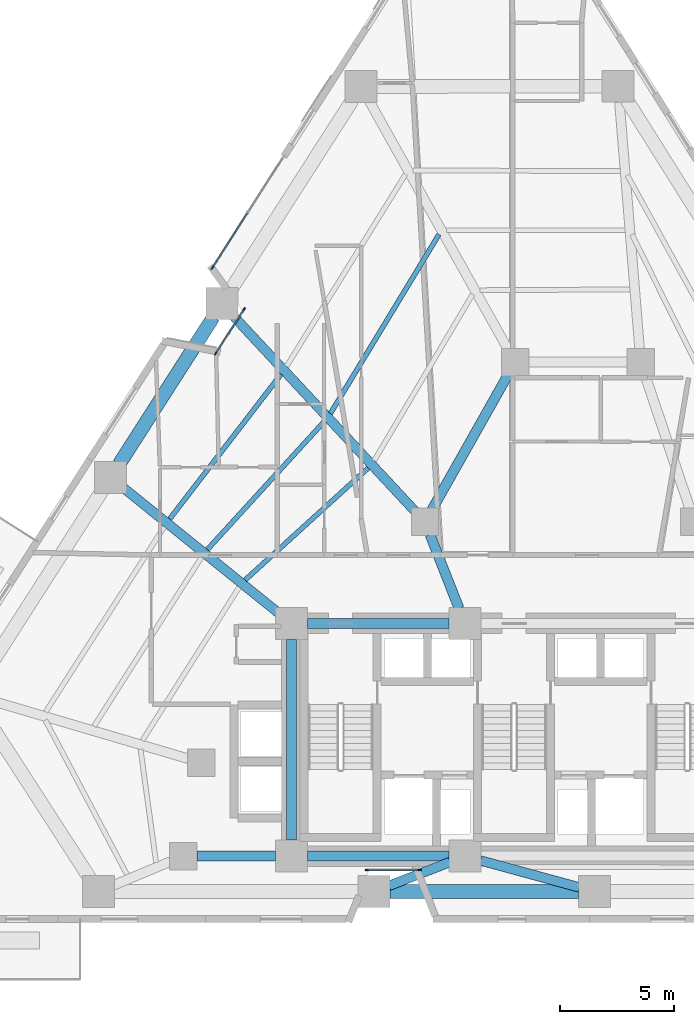
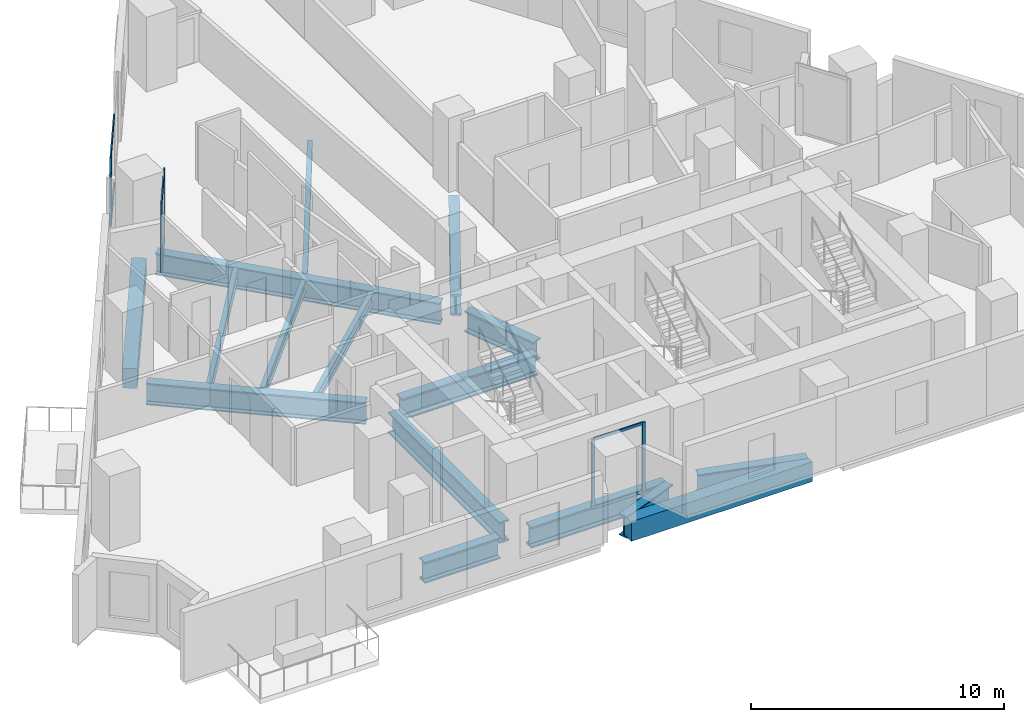
# One storey, part 2 of 14: 16 beams, 11 members, 3 elements without a shape of their own.
"""IFC4 building model written with IfcOpenShell, lengths in metres."""

from ifc_helpers import new_model, si_unit, direction, frame, origin, origin_2d, place, context, subcontext, project, spatial, rectangle, i_section, extrude, material, layer, layer_set, material_profile, profile_set, type_object, element, aggregate, save


model = new_model("IFC4")

# Units and contexts
model_context = context("Model", 3, precision=1e-05, world=origin(), true_north=direction((0.0, 1.0)))
body_context = subcontext(model_context, "Body", "Model", "MODEL_VIEW")
ifc_project = project(units=[si_unit("LENGTHUNIT", "METRE"), si_unit("AREAUNIT", "SQUARE_METRE"), si_unit("VOLUMEUNIT", "CUBIC_METRE"), si_unit("PLANEANGLEUNIT", "RADIAN"), si_unit("MASSUNIT", "GRAM", prefix="KILO")], contexts=[model_context])

# Site, building, storey
site_placement = place(None, origin())
site = spatial("IfcSite", under=ifc_project, at=site_placement, CompositionType="ELEMENT")
building_placement = place(site_placement, origin())
building = spatial("IfcBuilding", under=site, at=building_placement, Name="Almagre Mirador Tower", CompositionType="ELEMENT")
storey_placement = place(building_placement, frame((0.0, 0.0, 67.800048828125)))
storey = spatial("IfcBuildingStorey", under=building, at=storey_placement, Name="L16", CompositionType="ELEMENT", Elevation=67.800048828125)

# Beams
ifc_material_1 = material(Name="Steel ASTM A992 Grade 50", Category="steel")
ifc_material_profile_1 = material_profile(ifc_material_1, i_section(OverallWidth=0.214111328125, OverallDepth=0.549072265625, WebThickness=0.0146484375, FlangeThickness=0.023681640625, FilletRadius=0.01806640625, at=origin_2d()), Name="W21X93")
ifc_profile_set_1 = profile_set([ifc_material_profile_1], Name="Steel ASTM A992 Grade 50")
beam_type_1 = type_object("IfcBeamType", Name="BM-JST-W21X93", PredefinedType="JOIST", material=ifc_profile_set_1)
beam_1_placement = place(storey_placement, frame((34.012939453125, 31.798828125, -0.524658203125), z_axis=(-0.51858522913, -0.855025941202, 0.0), x_axis=(0.855025941202, -0.51858522913, 0.0)))
element("IfcBeam", 1, at=beam_1_placement, inside=storey, type_object=beam_type_1, Name="L16 secondary floor joist PC09-PC10.2", PredefinedType="JOIST", context=body_context, shape_type="SweptSolid", body=[
    extrude(i_section(OverallWidth=0.214111328125, OverallDepth=0.549072265625, WebThickness=0.0146484375, FlangeThickness=0.023681640625, FilletRadius=0.01806640625, at=origin_2d()), origin(), (0.0, 0.0, 1.0), 9.178955078125),
])
beam_2_placement = place(storey_placement, frame((27.093017578125, 25.672119140625, -0.524658203125), z_axis=(-0.610045173771, -0.792366636071, 0.0), x_axis=(0.792366636071, -0.610045173771, 0.0)))
element("IfcBeam", 2, at=beam_2_placement, inside=storey, type_object=beam_type_1, Name="L16 secondary floor joist PC10-PC11.1", PredefinedType="JOIST", context=body_context, shape_type="SweptSolid", body=[
    extrude(i_section(OverallWidth=0.214111328125, OverallDepth=0.549072265625, WebThickness=0.0146484375, FlangeThickness=0.023681640625, FilletRadius=0.01806640625, at=origin_2d()), origin(), (0.0, 0.0, 1.0), 8.007568359375),
])
beam_3_placement = place(storey_placement, frame((29.0029296875, 23.6171875, -0.524658203125), z_axis=(-0.674525341374, -0.738251694102, 0.0), x_axis=(0.738251694102, -0.674525341374, 0.0)))
element("IfcBeam", 3, at=beam_3_placement, inside=storey, type_object=beam_type_1, Name="L16 secondary floor joist PC10-PC11.2", PredefinedType="JOIST", context=body_context, shape_type="SweptSolid", body=[
    extrude(i_section(OverallWidth=0.214111328125, OverallDepth=0.549072265625, WebThickness=0.0146484375, FlangeThickness=0.023681640625, FilletRadius=0.01806640625, at=origin_2d()), origin(), (0.0, 0.0, 1.0), 7.6201171875),
])
beam_4_placement = place(storey_placement, frame((30.912841796875, 21.564453125, -0.524658203125), z_axis=(-0.739528010183, -0.673125784794, 0.0), x_axis=(0.673125784794, -0.739528010183, 0.0)))
element("IfcBeam", 4, at=beam_4_placement, inside=storey, type_object=beam_type_1, Name="L16 secondary floor joist PC10-PC11.3", PredefinedType="JOIST", context=body_context, shape_type="SweptSolid", body=[
    extrude(i_section(OverallWidth=0.214111328125, OverallDepth=0.549072265625, WebThickness=0.0146484375, FlangeThickness=0.023681640625, FilletRadius=0.01806640625, at=origin_2d()), origin(), (0.0, 0.0, 1.0), 7.294677734375),
])
ifc_material_2 = material(Name="Precast concrete C50/60", Category="concrete")
ifc_material_profile_2 = material_profile(ifc_material_2, rectangle(XDim=0.60009765625, YDim=0.949951171875, at=origin_2d()), Name="RC600X950")
ifc_profile_set_2 = profile_set([ifc_material_profile_2], Name="Precast concrete C50/60")
beam_type_2 = type_object("IfcBeamType", Name="BM-SPN-RC600X950", PredefinedType="SPANDREL", material=ifc_profile_set_2)
beam_5_placement = place(storey_placement, frame((31.867919921875, 3.0, -0.72509765625), z_axis=(1.0, 0.0, 0.0), x_axis=(0.0, 1.0, 0.0)))
element("IfcBeam", 5, at=beam_5_placement, inside=storey, type_object=beam_type_2, Name="L16 perimeter spandrel beam PC02-PC03", PredefinedType="SPANDREL", context=body_context, shape_type="SweptSolid", body=[
    extrude(rectangle(XDim=0.60009765625, YDim=0.949951171875, at=origin_2d()), origin(), (0.0, 0.0, 1.0), 8.26416015625),
])
beam_6_placement = place(storey_placement, frame((24.122314453125, 28.171630859375, -0.72509765625), z_axis=(-0.539486777129, -0.841994072012, 0.0), x_axis=(0.841994072012, -0.539486777129, 0.0)))
element("IfcBeam", 6, at=beam_6_placement, inside=storey, type_object=beam_type_2, Name="L16 perimeter spandrel beam PC10-PC11", PredefinedType="SPANDREL", context=body_context, shape_type="SweptSolid", body=[
    extrude(rectangle(XDim=0.60009765625, YDim=0.949951171875, at=origin_2d()), origin(), (0.0, 0.0, 1.0), 7.645263671875),
])
ifc_material_3 = material(Name="Steel ASTM A992 Grade 50", Category="steel")
ifc_material_profile_3 = material_profile(ifc_material_3, i_section(OverallWidth=0.43701171875, OverallDepth=1.010986328125, WebThickness=0.041015625, FlangeThickness=0.073974609375, FilletRadius=0.028076171875, at=origin_2d()), Name="W36X529")
ifc_profile_set_3 = profile_set([ifc_material_profile_3], Name="Steel ASTM A992 Grade 50")
beam_type_3 = type_object("IfcBeamType", Name="BM-STL-W36X529", PredefinedType="BEAM", material=ifc_profile_set_3)
for number, where, z_axis, x_axis, name in (
    (7, (28.25, 4.550048828125, -0.755615234375), (1.0, 0.0, 0.0), (0.0, 1.0, 0.0), "L16 core tie girder CC1-CC2"),
    (8, (28.25, 14.75, -0.755615234375), (1.0, 0.0, 0.0), (0.0, 1.0, 0.0), "L16 core tie girder CC4-CC5"),
):
    element("IfcBeam", number, at=place(storey_placement, frame(where, z_axis=z_axis, x_axis=x_axis)), inside=storey, type_object=beam_type_3, Name=name, PredefinedType="BEAM", context=body_context, shape_type="SweptSolid", body=[
        extrude(i_section(OverallWidth=0.43701171875, OverallDepth=1.010986328125, WebThickness=0.041015625, FlangeThickness=0.073974609375, FilletRadius=0.028076171875, at=origin_2d()), origin(), (0.0, 0.0, 1.0), 6.199951171875),
    ])
beam_7_placement = place(storey_placement, frame((27.550048828125, 5.25, -0.755615234375), z_axis=(0.0, 1.0, 0.0), x_axis=(-1.0, 0.0, 0.0)))
element("IfcBeam", 9, at=beam_7_placement, inside=storey, type_object=beam_type_3, Name="L16 core tie girder CC1-CC4", PredefinedType="BEAM", context=body_context, shape_type="SweptSolid", body=[
    extrude(i_section(OverallWidth=0.43701171875, OverallDepth=1.010986328125, WebThickness=0.041015625, FlangeThickness=0.073974609375, FilletRadius=0.028076171875, at=origin_2d()), origin(), (0.0, 0.0, 1.0), 8.800048828125),
])
beam_8_placement = place(storey_placement, frame((23.39990234375, 4.550048828125, -0.755615234375), z_axis=(1.0, 0.0, 0.0), x_axis=(0.0, 1.0, 0.0)))
element("IfcBeam", 10, at=beam_8_placement, inside=storey, type_object=beam_type_3, Name="L16 core tie girder MC1-CC1", PredefinedType="BEAM", context=body_context, shape_type="SweptSolid", body=[
    extrude(i_section(OverallWidth=0.43701171875, OverallDepth=1.010986328125, WebThickness=0.041015625, FlangeThickness=0.073974609375, FilletRadius=0.028076171875, at=origin_2d()), origin(), (0.0, 0.0, 1.0), 3.4501953125),
])
beam_9_placement = place(storey_placement, frame((37.05517578125, 25.677490234375, -0.755615234375), z_axis=(-0.491440637516, -0.870911074564, 0.0), x_axis=(0.870911074564, -0.491440637516, 0.0)))
element("IfcBeam", 11, at=beam_9_placement, inside=storey, type_object=beam_type_3, Name="L16 core tie girder MC7-MC8", PredefinedType="BEAM", context=body_context, shape_type="SweptSolid", body=[
    extrude(i_section(OverallWidth=0.43701171875, OverallDepth=1.010986328125, WebThickness=0.041015625, FlangeThickness=0.073974609375, FilletRadius=0.028076171875, at=origin_2d()), origin(), (0.0, 0.0, 1.0), 6.837646484375),
])
beam_10_placement = place(storey_placement, frame((33.61962890625, 18.6416015625, -0.755615234375), z_axis=(0.365956076985, -0.93063212373, 0.0), x_axis=(0.93063212373, 0.365956076985, 0.0)))
element("IfcBeam", 12, at=beam_10_placement, inside=storey, type_object=beam_type_3, Name="L16 core tie girder MC8-CC5", PredefinedType="BEAM", context=body_context, shape_type="SweptSolid", body=[
    extrude(i_section(OverallWidth=0.43701171875, OverallDepth=1.010986328125, WebThickness=0.041015625, FlangeThickness=0.073974609375, FilletRadius=0.028076171875, at=origin_2d()), origin(), (0.0, 0.0, 1.0), 3.481689453125),
])
ifc_material_4 = material(Name="Steel ASTM A913 Grade 65", Category="steel")
ifc_material_profile_4 = material_profile(ifc_material_4, i_section(OverallWidth=0.4189453125, OverallDepth=1.041015625, WebThickness=0.031005859375, FlangeThickness=0.055908203125, FilletRadius=0.030029296875, at=origin_2d()), Name="W40X397")
ifc_profile_set_4 = profile_set([ifc_material_profile_4], Name="Steel ASTM A913 Grade 65")
beam_type_4 = type_object("IfcBeamType", Name="BM-STL-W40X397", PredefinedType="BEAM", material=ifc_profile_set_4)
beam_11_placement = place(storey_placement, frame((31.8203125, 3.25390625, -0.7705078125), z_axis=(0.931888214073, 0.362745580913, 0.0), x_axis=(-0.362745580913, 0.931888214073, 0.0)))
element("IfcBeam", 13, at=beam_11_placement, inside=storey, type_object=beam_type_4, Name="L16 radial floor girder PC02-CC2", PredefinedType="BEAM", context=body_context, shape_type="SweptSolid", body=[
    extrude(i_section(OverallWidth=0.4189453125, OverallDepth=1.041015625, WebThickness=0.031005859375, FlangeThickness=0.055908203125, FilletRadius=0.030029296875, at=origin_2d()), origin(), (0.0, 0.0, 1.0), 2.873291015625),
])
beam_12_placement = place(storey_placement, frame((40.15673828125, 3.18408203125, -0.7705078125), z_axis=(-0.964746251324, 0.263181820336, 0.0), x_axis=(-0.263181820336, -0.964746251324, 0.0)))
element("IfcBeam", 14, at=beam_12_placement, inside=storey, type_object=beam_type_4, Name="L16 radial floor girder PC03-CC2", PredefinedType="BEAM", context=body_context, shape_type="SweptSolid", body=[
    extrude(i_section(OverallWidth=0.4189453125, OverallDepth=1.041015625, WebThickness=0.031005859375, FlangeThickness=0.055908203125, FilletRadius=0.030029296875, at=origin_2d()), origin(), (0.0, 0.0, 1.0), 4.48974609375),
])
beam_13_placement = place(storey_placement, frame((24.976806640625, 28.24853515625, -0.7705078125), z_axis=(0.681362933779, -0.731945730551, 0.0), x_axis=(0.731945730551, 0.681362933779, 0.0)))
element("IfcBeam", 15, at=beam_13_placement, inside=storey, type_object=beam_type_4, Name="L16 radial floor girder PC10-MC8", PredefinedType="BEAM", context=body_context, shape_type="SweptSolid", body=[
    extrude(i_section(OverallWidth=0.4189453125, OverallDepth=1.041015625, WebThickness=0.031005859375, FlangeThickness=0.055908203125, FilletRadius=0.030029296875, at=origin_2d()), origin(), (0.0, 0.0, 1.0), 11.76220703125),
])
beam_14_placement = place(storey_placement, frame((20.164794921875, 20.70556640625, -0.7705078125), z_axis=(0.778428805214, -0.627732901171, 0.0), x_axis=(0.627732901171, 0.778428805214, 0.0)))
element("IfcBeam", 16, at=beam_14_placement, inside=storey, type_object=beam_type_4, Name="L16 radial floor girder PC11-CC4", PredefinedType="BEAM", context=body_context, shape_type="SweptSolid", body=[
    extrude(i_section(OverallWidth=0.4189453125, OverallDepth=1.041015625, WebThickness=0.031005859375, FlangeThickness=0.055908203125, FilletRadius=0.030029296875, at=origin_2d()), origin(), (0.0, 0.0, 1.0), 8.787353515625),
])

# Curtain wall, members
ifc_material_5 = material(Name="Black anodized aluminium", Category="aluminium")
ifc_layer_1 = layer(ifc_material_5, 0.169921875)
ifc_layer_set_1 = layer_set([ifc_layer_1], Name="Black anodized aluminium")
curtain_wall_type_1 = type_object("IfcCurtainWallType", Name="CW-CRS-SYS", PredefinedType="NOTDEFINED", material=ifc_layer_set_1)
curtain_wall_1_placement = place(storey_placement, origin())
curtain_wall_1 = element("IfcCurtainWall", 17, at=curtain_wall_1_placement, inside=storey, type_object=curtain_wall_type_1, Name="L16 vertical crease curtain wall 01", PredefinedType="NOTDEFINED")
ifc_material_6 = material(Name="Black anodized aluminium", Category="aluminium")
ifc_material_profile_5 = material_profile(ifc_material_6, rectangle(XDim=0.06005859375, YDim=0.14990234375, at=origin_2d()), Name="CWM60X150")
ifc_profile_set_5 = profile_set([ifc_material_profile_5], Name="Black anodized aluminium")
member_type_1 = type_object("IfcMemberType", Name="MBR-CWM60X150", PredefinedType="MULLION", material=ifc_profile_set_5)
member_1_placement = place(storey_placement, frame((24.228759765625, 26.575439453125, 0.0), z_axis=(0.0, 0.0, 1.0), x_axis=(-0.842016797543, 0.539451307029, 0.0)))
member_1 = element("IfcMember", 18, at=member_1_placement, type_object=member_type_1, Name="CW-4 mullion 1", PredefinedType="MULLION", context=body_context, shape_type="SweptSolid", body=[
    extrude(rectangle(XDim=0.06005859375, YDim=0.14990234375, at=origin_2d()), origin(), (0.0, 0.0, 1.0), 3.349853515625),
])
member_2_placement = place(storey_placement, frame((25.474365234375, 28.51953125, 0.0), z_axis=(0.0, 0.0, 1.0), x_axis=(-0.842016797543, 0.539451307029, 0.0)))
member_2 = element("IfcMember", 19, at=member_2_placement, type_object=member_type_1, Name="CW-4 mullion 2", PredefinedType="MULLION", context=body_context, shape_type="SweptSolid", body=[
    extrude(rectangle(XDim=0.06005859375, YDim=0.14990234375, at=origin_2d()), origin(), (0.0, 0.0, 1.0), 3.349853515625),
])

curtain_wall_2_placement = place(storey_placement, origin())
curtain_wall_2 = element("IfcCurtainWall", 20, at=curtain_wall_2_placement, inside=storey, type_object=curtain_wall_type_1, Name="L16 vertical crease curtain wall 04", PredefinedType="NOTDEFINED")
member_3_placement = place(storey_placement, frame((33.155029296875, 3.949951171875, 0.0), z_axis=(0.0, 0.0, 1.0), x_axis=(0.0, -1.0, 0.0)))
member_3 = element("IfcMember", 21, at=member_3_placement, type_object=member_type_1, Name="CW-4 mullion 1", PredefinedType="MULLION", context=body_context, shape_type="SweptSolid", body=[
    extrude(rectangle(XDim=0.06005859375, YDim=0.14990234375, at=origin_2d()), origin(), (0.0, 0.0, 1.0), 3.349853515625),
])
member_4_placement = place(storey_placement, frame((30.844970703125, 3.949951171875, 0.0), z_axis=(0.0, 0.0, 1.0), x_axis=(0.0, -1.0, 0.0)))
member_4 = element("IfcMember", 22, at=member_4_placement, type_object=member_type_1, Name="CW-4 mullion 2", PredefinedType="MULLION", context=body_context, shape_type="SweptSolid", body=[
    extrude(rectangle(XDim=0.06005859375, YDim=0.14990234375, at=origin_2d()), origin(), (0.0, 0.0, 1.0), 3.349853515625),
])

# Curtain wall, member
ifc_material_7 = material(Name="Black anodized aluminium", Category="aluminium")
ifc_layer_2 = layer(ifc_material_7, 0.18994140625)
ifc_layer_set_2 = layer_set([ifc_layer_2], Name="Black anodized aluminium")
curtain_wall_type_2 = type_object("IfcCurtainWallType", Name="CW-RES-L-SYS", PredefinedType="NOTDEFINED", material=ifc_layer_set_2)
curtain_wall_3_placement = place(storey_placement, origin())
curtain_wall_3 = element("IfcCurtainWall", 23, at=curtain_wall_3_placement, inside=storey, type_object=curtain_wall_type_2, Name="L16 curtain wall run 02", PredefinedType="NOTDEFINED")
ifc_material_8 = material(Name="Black anodized aluminium", Category="aluminium")
ifc_material_profile_6 = material_profile(ifc_material_8, rectangle(XDim=0.06494140625, YDim=0.179931640625, at=origin_2d()), Name="CWM65X180")
ifc_profile_set_6 = profile_set([ifc_material_profile_6], Name="Black anodized aluminium")
member_type_2 = type_object("IfcMemberType", Name="MBR-CWM65X180", PredefinedType="MULLION", material=ifc_profile_set_6)
member_5_placement = place(storey_placement, frame((24.08349609375, 30.33447265625, 0.0), z_axis=(0.0, 0.0, 1.0), x_axis=(-0.841975112502, 0.539516366691, 0.0)))
member_5 = element("IfcMember", 24, at=member_5_placement, type_object=member_type_2, Name="CW-2 mullion 1", PredefinedType="MULLION", context=body_context, shape_type="SweptSolid", body=[
    extrude(rectangle(XDim=0.06494140625, YDim=0.179931640625, at=origin_2d()), origin(), (0.0, 0.0, 1.0), 3.349853515625),
])

# Member
ifc_material_9 = material(Name="Black anodized aluminium", Category="aluminium")
ifc_material_profile_7 = material_profile(ifc_material_9, rectangle(XDim=0.06005859375, YDim=0.1298828125, at=origin_2d()), Name="CWT60X130")
ifc_profile_set_7 = profile_set([ifc_material_profile_7], Name="Black anodized aluminium")
member_type_3 = type_object("IfcMemberType", Name="MBR-CWT60X130", PredefinedType="USERDEFINED", material=ifc_profile_set_7)
member_6_placement = place(storey_placement, frame((24.244873046875, 26.6005859375, 0.030029296875), z_axis=(0.539478698407, 0.841999248198, 0.0), x_axis=(-0.841999248198, 0.539478698407, 0.0)))
member_6 = element("IfcMember", 25, at=member_6_placement, type_object=member_type_3, Name="CW-4 transom 1.1", ObjectType="TRANSOM", PredefinedType="USERDEFINED", context=body_context, shape_type="SweptSolid", body=[
    extrude(rectangle(XDim=0.06005859375, YDim=0.1298828125, at=origin_2d()), origin(), (0.0, 0.0, 1.0), 2.249267578125),
])

member_7_placement = place(storey_placement, frame((24.244873046875, 26.6005859375, 3.320068359375), z_axis=(0.539478698407, 0.841999248198, 0.0), x_axis=(-0.841999248198, 0.539478698407, 0.0)))
member_7 = element("IfcMember", 26, at=member_7_placement, type_object=member_type_3, Name="CW-4 transom 1.2", ObjectType="TRANSOM", PredefinedType="USERDEFINED", context=body_context, shape_type="SweptSolid", body=[
    extrude(rectangle(XDim=0.06005859375, YDim=0.1298828125, at=origin_2d()), origin(), (0.0, 0.0, 1.0), 2.249267578125),
])

aggregate(curtain_wall_1, [member_1, member_2, member_6, member_7])

member_8_placement = place(storey_placement, frame((24.10107421875, 30.36181640625, 0.030029296875), z_axis=(0.539499044574, 0.841986211825, 0.0), x_axis=(-0.841986211825, 0.539499044574, 0.0)))
member_8 = element("IfcMember", 27, at=member_8_placement, type_object=member_type_3, Name="CW-2 transom 1.1", ObjectType="TRANSOM", PredefinedType="USERDEFINED", context=body_context, shape_type="SweptSolid", body=[
    extrude(rectangle(XDim=0.06005859375, YDim=0.1298828125, at=origin_2d()), origin(), (0.0, 0.0, 1.0), 2.815185546875),
])

member_9_placement = place(storey_placement, frame((24.10107421875, 30.36181640625, 3.320068359375), z_axis=(0.539499044574, 0.841986211825, 0.0), x_axis=(-0.841986211825, 0.539499044574, 0.0)))
member_9 = element("IfcMember", 28, at=member_9_placement, type_object=member_type_3, Name="CW-2 transom 1.2", ObjectType="TRANSOM", PredefinedType="USERDEFINED", context=body_context, shape_type="SweptSolid", body=[
    extrude(rectangle(XDim=0.06005859375, YDim=0.1298828125, at=origin_2d()), origin(), (0.0, 0.0, 1.0), 2.815185546875),
])

aggregate(curtain_wall_3, [member_5, member_8, member_9])

member_10_placement = place(storey_placement, frame((33.125, 3.949951171875, 0.030029296875), z_axis=(-1.0, 0.0, 0.0), x_axis=(0.0, -1.0, 0.0)))
member_10 = element("IfcMember", 29, at=member_10_placement, type_object=member_type_3, Name="CW-4 transom 1.1", ObjectType="TRANSOM", PredefinedType="USERDEFINED", context=body_context, shape_type="SweptSolid", body=[
    extrude(rectangle(XDim=0.06005859375, YDim=0.1298828125, at=origin_2d()), origin(), (0.0, 0.0, 1.0), 2.25),
])

member_11_placement = place(storey_placement, frame((33.125, 3.949951171875, 3.320068359375), z_axis=(-1.0, 0.0, 0.0), x_axis=(0.0, -1.0, 0.0)))
member_11 = element("IfcMember", 30, at=member_11_placement, type_object=member_type_3, Name="CW-4 transom 1.2", ObjectType="TRANSOM", PredefinedType="USERDEFINED", context=body_context, shape_type="SweptSolid", body=[
    extrude(rectangle(XDim=0.06005859375, YDim=0.1298828125, at=origin_2d()), origin(), (0.0, 0.0, 1.0), 2.25),
])

aggregate(curtain_wall_2, [member_3, member_4, member_10, member_11])

save(model, "model.ifc")
